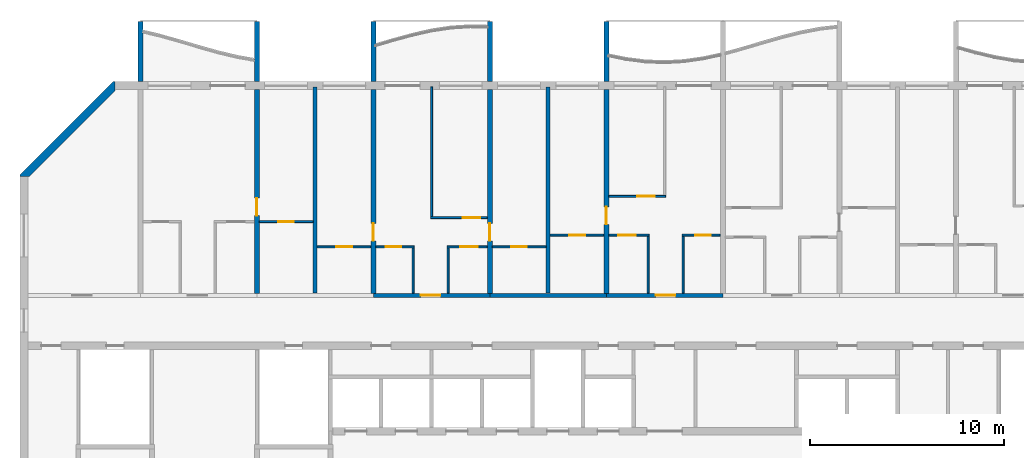
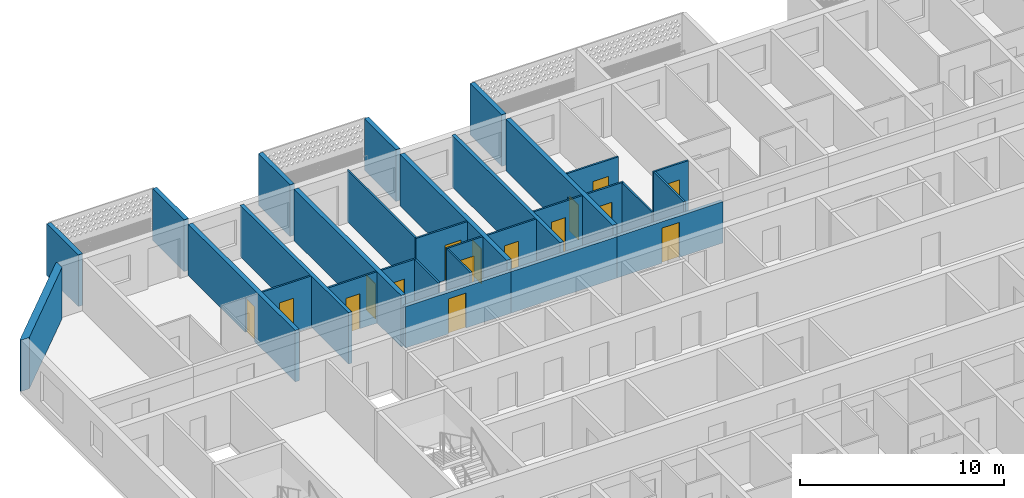
# One storey, part 8 of 26: 30 walls, 16 doors, 16 openings.
"""IFC4 building model written with IfcOpenShell, lengths in metres."""

from ifc_helpers import new_model, si_unit, direction, frame, frame_2d, origin, place, context, subcontext, project, spatial, polyline, rectangle, outline, extrude, source, transform, mapped, material, layer, layer_set, type_object, element, fill, save


model = new_model("IFC4")

# Units and contexts
model_context = context("Model", 3, precision=1e-05, world=origin(), true_north=direction((0.0, 1.0)))
body_context = subcontext(model_context, "Body", "Model", "MODEL_VIEW")
ifc_project = project(units=[si_unit("LENGTHUNIT", "METRE"), si_unit("AREAUNIT", "SQUARE_METRE"), si_unit("VOLUMEUNIT", "CUBIC_METRE"), si_unit("PLANEANGLEUNIT", "RADIAN"), si_unit("MASSUNIT", "GRAM", prefix="KILO")], contexts=[model_context])

# Site, building, storey
site_placement = place(None, origin())
site = spatial("IfcSite", under=ifc_project, at=site_placement, CompositionType="ELEMENT")
building_placement = place(site_placement, origin())
building = spatial("IfcBuilding", under=site, at=building_placement, Name="Poui Terraces", CompositionType="ELEMENT")
storey_placement = place(building_placement, frame((0.0, 0.0, 175.199951171875)))
storey = spatial("IfcBuildingStorey", under=building, at=storey_placement, Name="L48", CompositionType="ELEMENT", Elevation=175.199951171875)

# Wall, opening, door
ifc_material_1 = material(Name="Concrete 50 MPa", Category="concrete")
ifc_layer_1 = layer(ifc_material_1, 0.199951171875)
ifc_layer_set_1 = layer_set([ifc_layer_1], Name="Concrete 50 MPa")
wall_type_1 = type_object("IfcWallType", Name="CORRIDOR WALL 200 50MPa", PredefinedType="SHEAR", material=ifc_layer_set_1)
wall_1_placement = place(storey_placement, frame((36.0, 30.39990234375, 0.0), z_axis=(0.0, 0.0, 1.0), x_axis=(1.0, 0.0, 0.0)))
wall_1 = element("IfcWall", 1, at=wall_1_placement, inside=storey, type_object=wall_type_1, Name="CORRIDOR WALL LINE E BAY 4", PredefinedType="SHEAR", context=body_context, shape_type="SweptSolid", body=[
    extrude(rectangle(XDim=6.0, YDim=0.199951171875, at=frame_2d((3.0, 0.0))), origin(), (0.0, 0.0, 1.0), 2.47998046875),
])
opening_1_placement = place(wall_1_placement, frame((2.449951171875, 0.0, 0.0)))
opening_1 = element("IfcOpeningElement", 2, at=opening_1_placement, cuts=wall_1, Name="Opening FD30S", PredefinedType="OPENING", context=body_context, shape_type="SweptSolid", body=[
    extrude(rectangle(XDim=1.0, YDim=2.10009765625, at=frame_2d((0.5, 1.050048828125))), frame((0.0, 0.10986328125, 0.0), z_axis=(0.0, -1.0, 0.0), x_axis=(1.0, 0.0, 0.0)), (0.0, 0.0, 1.0), 0.219970703125),
])
ifc_material_2 = material(Name="Steel fire door", Category="steel")
door_type_1 = type_object("IfcDoorType", Name="FLAT ENTRANCE DOOR 1000 X 2100", OperationType="NOTDEFINED", PredefinedType="DOOR", material=ifc_material_2)
door_1_placement = place(opening_1_placement, origin())
door_1 = element("IfcDoor", 3, at=door_1_placement, inside=storey, type_object=door_type_1, Name="FLAT ENTRANCE DOOR 035", OperationType="SINGLE_SWING_LEFT", OverallHeight=2.10009765625, OverallWidth=1.0, PredefinedType="DOOR", context=body_context, shape_type="SweptSolid", body=[
    extrude(rectangle(XDim=1.0, YDim=2.10009765625, at=frame_2d((0.5, 1.050048828125))), frame((0.0, 0.02490234375, 0.0), z_axis=(0.0, -1.0, 0.0), x_axis=(1.0, 0.0, 0.0)), (0.0, 0.0, 1.0), 0.050048828125),
])
fill(opening_1, door_1)

# Wall
wall_2_placement = place(storey_placement, frame((42.0, 30.39990234375, 0.0), z_axis=(0.0, 0.0, 1.0), x_axis=(1.0, 0.0, 0.0)))
element("IfcWall", 4, at=wall_2_placement, inside=storey, type_object=wall_type_1, Name="CORRIDOR WALL LINE E BAY 5", PredefinedType="SHEAR", context=body_context, shape_type="SweptSolid", body=[
    extrude(rectangle(XDim=6.0, YDim=0.199951171875, at=frame_2d((3.0, 0.0))), origin(), (0.0, 0.0, 1.0), 2.47998046875),
])

# Wall, opening, door
wall_3_placement = place(storey_placement, frame((48.0, 30.39990234375, 0.0), z_axis=(0.0, 0.0, 1.0), x_axis=(1.0, 0.0, 0.0)))
wall_3 = element("IfcWall", 5, at=wall_3_placement, inside=storey, type_object=wall_type_1, Name="CORRIDOR WALL LINE E BAY 6", PredefinedType="SHEAR", context=body_context, shape_type="SweptSolid", body=[
    extrude(rectangle(XDim=6.0, YDim=0.199951171875, at=frame_2d((3.0, 0.0))), origin(), (0.0, 0.0, 1.0), 2.47998046875),
])
opening_2_placement = place(wall_3_placement, frame((2.550048828125, 0.0, 0.0)))
opening_2 = element("IfcOpeningElement", 6, at=opening_2_placement, cuts=wall_3, Name="Opening FD30S", PredefinedType="OPENING", context=body_context, shape_type="SweptSolid", body=[
    extrude(rectangle(XDim=1.0, YDim=2.10009765625, at=frame_2d((0.5, 1.050048828125))), frame((0.0, 0.10986328125, 0.0), z_axis=(0.0, -1.0, 0.0), x_axis=(1.0, 0.0, 0.0)), (0.0, 0.0, 1.0), 0.219970703125),
])
door_2_placement = place(opening_2_placement, origin())
door_2 = element("IfcDoor", 7, at=door_2_placement, inside=storey, type_object=door_type_1, Name="FLAT ENTRANCE DOOR 043", OperationType="SINGLE_SWING_RIGHT", OverallHeight=2.10009765625, OverallWidth=1.0, PredefinedType="DOOR", context=body_context, shape_type="SweptSolid", body=[
    extrude(rectangle(XDim=1.0, YDim=2.10009765625, at=frame_2d((0.5, 1.050048828125))), frame((0.0, 0.02490234375, 0.0), z_axis=(0.0, -1.0, 0.0), x_axis=(1.0, 0.0, 0.0)), (0.0, 0.0, 1.0), 0.050048828125),
])
fill(opening_2, door_2)

ifc_layer_2 = layer(ifc_material_1, 0.25)
ifc_layer_set_2 = layer_set([ifc_layer_2], Name="Concrete 50 MPa")
wall_type_2 = type_object("IfcWallType", Name="CROSS WALL 250 50MPa", PredefinedType="SHEAR", material=ifc_layer_set_2)
wall_4_placement = place(storey_placement, frame((30.0, 30.5, 0.0), z_axis=(0.0, 0.0, 1.0), x_axis=(0.0, 1.0, 0.0)))
wall_4 = element("IfcWall", 8, at=wall_4_placement, inside=storey, type_object=wall_type_2, Name="CROSS WALL LINE 6 NORTH", PredefinedType="SHEAR", context=body_context, shape_type="SweptSolid", body=[
    extrude(rectangle(XDim=10.5, YDim=0.25, at=frame_2d((5.25, 0.0))), origin(), (0.0, 0.0, 1.0), 3.080078125),
])
opening_3_placement = place(wall_4_placement, frame((4.0, 0.0, 0.0)))
opening_3 = element("IfcOpeningElement", 9, at=opening_3_placement, cuts=wall_4, Name="Opening D90", PredefinedType="OPENING", context=body_context, shape_type="SweptSolid", body=[
    extrude(rectangle(XDim=0.89990234375, YDim=2.10009765625, at=frame_2d((0.449951171875, 1.050048828125))), frame((0.0, 0.135009765625, 0.0), z_axis=(0.0, -1.0, 0.0), x_axis=(1.0, 0.0, 0.0)), (0.0, 0.0, 1.0), 0.27001953125),
])
ifc_material_3 = material(Name="Solid core timber door", Category="wood")
door_type_2 = type_object("IfcDoorType", Name="INTERNAL DOOR 900 X 2100", OperationType="NOTDEFINED", PredefinedType="DOOR", material=ifc_material_3)
door_3_placement = place(opening_3_placement, frame((0.89990234375, 0.0, 0.0), z_axis=(0.0, 0.0, 1.0), x_axis=(-1.0, 0.0, 0.0)))
door_3 = element("IfcDoor", 10, at=door_3_placement, inside=storey, type_object=door_type_2, Name="INTERNAL DOOR 030", OperationType="SINGLE_SWING_RIGHT", OverallHeight=2.10009765625, OverallWidth=0.89990234375, PredefinedType="DOOR", context=body_context, shape_type="SweptSolid", body=[
    extrude(rectangle(XDim=0.89990234375, YDim=2.10009765625, at=frame_2d((0.449951171875, 1.050048828125))), frame((0.0, 0.02490234375, 0.0), z_axis=(0.0, -1.0, 0.0), x_axis=(1.0, 0.0, 0.0)), (0.0, 0.0, 1.0), 0.050048828125),
])
fill(opening_3, door_3)

wall_5_placement = place(storey_placement, frame((36.0, 30.5, 0.0), z_axis=(0.0, 0.0, 1.0), x_axis=(0.0, 1.0, 0.0)))
wall_5 = element("IfcWall", 11, at=wall_5_placement, inside=storey, type_object=wall_type_2, Name="CROSS WALL LINE 7 NORTH", PredefinedType="SHEAR", context=body_context, shape_type="SweptSolid", body=[
    extrude(rectangle(XDim=10.5, YDim=0.25, at=frame_2d((5.25, 0.0))), origin(), (0.0, 0.0, 1.0), 3.080078125),
])
opening_4_placement = place(wall_5_placement, frame((2.699951171875, 0.0, 0.0)))
opening_4 = element("IfcOpeningElement", 12, at=opening_4_placement, cuts=wall_5, Name="Opening D90", PredefinedType="OPENING", context=body_context, shape_type="SweptSolid", body=[
    extrude(rectangle(XDim=0.89990234375, YDim=2.10009765625, at=frame_2d((0.449951171875, 1.050048828125))), frame((0.0, 0.135009765625, 0.0), z_axis=(0.0, -1.0, 0.0), x_axis=(1.0, 0.0, 0.0)), (0.0, 0.0, 1.0), 0.27001953125),
])
door_4_placement = place(opening_4_placement, origin())
door_4 = element("IfcDoor", 13, at=door_4_placement, inside=storey, type_object=door_type_2, Name="INTERNAL DOOR 033", OperationType="SINGLE_SWING_LEFT", OverallHeight=2.10009765625, OverallWidth=0.89990234375, PredefinedType="DOOR", context=body_context, shape_type="SweptSolid", body=[
    extrude(rectangle(XDim=0.89990234375, YDim=2.10009765625, at=frame_2d((0.449951171875, 1.050048828125))), frame((0.0, 0.02490234375, 0.0), z_axis=(0.0, -1.0, 0.0), x_axis=(1.0, 0.0, 0.0)), (0.0, 0.0, 1.0), 0.050048828125),
])
fill(opening_4, door_4)

wall_6_placement = place(storey_placement, frame((42.0, 30.5, 0.0), z_axis=(0.0, 0.0, 1.0), x_axis=(0.0, 1.0, 0.0)))
wall_6 = element("IfcWall", 14, at=wall_6_placement, inside=storey, type_object=wall_type_2, Name="CROSS WALL LINE 8 NORTH", PredefinedType="SHEAR", context=body_context, shape_type="SweptSolid", body=[
    extrude(rectangle(XDim=10.5, YDim=0.25, at=frame_2d((5.25, 0.0))), origin(), (0.0, 0.0, 1.0), 3.080078125),
])
opening_5_placement = place(wall_6_placement, frame((2.699951171875, 0.0, 0.0)))
opening_5 = element("IfcOpeningElement", 15, at=opening_5_placement, cuts=wall_6, Name="Opening D90", PredefinedType="OPENING", context=body_context, shape_type="SweptSolid", body=[
    extrude(rectangle(XDim=0.89990234375, YDim=2.10009765625, at=frame_2d((0.449951171875, 1.050048828125))), frame((0.0, 0.135009765625, 0.0), z_axis=(0.0, -1.0, 0.0), x_axis=(1.0, 0.0, 0.0)), (0.0, 0.0, 1.0), 0.27001953125),
])
door_5_placement = place(opening_5_placement, frame((0.89990234375, 0.0, 0.0), z_axis=(0.0, 0.0, 1.0), x_axis=(-1.0, 0.0, 0.0)))
door_5 = element("IfcDoor", 16, at=door_5_placement, inside=storey, type_object=door_type_2, Name="INTERNAL DOOR 038", OperationType="SINGLE_SWING_RIGHT", OverallHeight=2.10009765625, OverallWidth=0.89990234375, PredefinedType="DOOR", context=body_context, shape_type="SweptSolid", body=[
    extrude(rectangle(XDim=0.89990234375, YDim=2.10009765625, at=frame_2d((0.449951171875, 1.050048828125))), frame((0.0, 0.02490234375, 0.0), z_axis=(0.0, -1.0, 0.0), x_axis=(1.0, 0.0, 0.0)), (0.0, 0.0, 1.0), 0.050048828125),
])
fill(opening_5, door_5)

wall_7_placement = place(storey_placement, frame((48.0, 30.5, 0.0), z_axis=(0.0, 0.0, 1.0), x_axis=(0.0, 1.0, 0.0)))
wall_7 = element("IfcWall", 17, at=wall_7_placement, inside=storey, type_object=wall_type_2, Name="CROSS WALL LINE 9 NORTH", PredefinedType="SHEAR", context=body_context, shape_type="SweptSolid", body=[
    extrude(rectangle(XDim=10.5, YDim=0.25, at=frame_2d((5.25, 0.0))), origin(), (0.0, 0.0, 1.0), 3.080078125),
])
opening_6_placement = place(wall_7_placement, frame((3.550048828125, 0.0, 0.0)))
opening_6 = element("IfcOpeningElement", 18, at=opening_6_placement, cuts=wall_7, Name="Opening D90", PredefinedType="OPENING", context=body_context, shape_type="SweptSolid", body=[
    extrude(rectangle(XDim=0.89990234375, YDim=2.10009765625, at=frame_2d((0.449951171875, 1.050048828125))), frame((0.0, 0.135009765625, 0.0), z_axis=(0.0, -1.0, 0.0), x_axis=(1.0, 0.0, 0.0)), (0.0, 0.0, 1.0), 0.27001953125),
])
door_6_placement = place(opening_6_placement, origin())
door_6 = element("IfcDoor", 19, at=door_6_placement, inside=storey, type_object=door_type_2, Name="INTERNAL DOOR 040", OperationType="SINGLE_SWING_LEFT", OverallHeight=2.10009765625, OverallWidth=0.89990234375, PredefinedType="DOOR", context=body_context, shape_type="SweptSolid", body=[
    extrude(rectangle(XDim=0.89990234375, YDim=2.10009765625, at=frame_2d((0.449951171875, 1.050048828125))), frame((0.0, 0.02490234375, 0.0), z_axis=(0.0, -1.0, 0.0), x_axis=(1.0, 0.0, 0.0)), (0.0, 0.0, 1.0), 0.050048828125),
])
fill(opening_6, door_6)

ifc_material_4 = material(Name="Plasterboard partition")
ifc_layer_3 = layer(ifc_material_4, 0.10009765625)
ifc_layer_set_3 = layer_set([ifc_layer_3], Name="Plasterboard partition")
wall_type_3 = type_object("IfcWallType", Name="FLAT PARTITION 100", PredefinedType="PARTITIONING", material=ifc_layer_set_3)
wall_8_placement = place(storey_placement, frame((33.10009765625, 32.89990234375, 0.0), z_axis=(0.0, 0.0, 1.0), x_axis=(1.0, 0.0, 0.0)))
wall_8 = element("IfcWall", 20, at=wall_8_placement, inside=storey, type_object=wall_type_3, Name="FLAT PARTITION 100", PredefinedType="PARTITIONING", context=body_context, shape_type="SweptSolid", body=[
    extrude(rectangle(XDim=2.764892578125, YDim=0.10009765625, at=frame_2d((1.38232421875, 0.0))), origin(), (0.0, 0.0, 1.0), 3.080078125),
])
opening_7_placement = place(wall_8_placement, frame((1.0, 0.0, 0.0)))
opening_7 = element("IfcOpeningElement", 21, at=opening_7_placement, cuts=wall_8, Name="Opening D80", PredefinedType="OPENING", context=body_context, shape_type="SweptSolid", body=[
    extrude(rectangle(XDim=0.800048828125, YDim=2.10009765625, at=frame_2d((0.39990234375, 1.050048828125))), frame((0.0, 0.06005859375, 0.0), z_axis=(0.0, -1.0, 0.0), x_axis=(1.0, 0.0, 0.0)), (0.0, 0.0, 1.0), 0.1201171875),
])
door_type_3 = type_object("IfcDoorType", Name="BATHROOM, LAUNDRY AND STORE DOOR 800 X 2100", OperationType="NOTDEFINED", PredefinedType="DOOR", material=ifc_material_3)
door_7_placement = place(opening_7_placement, frame((0.800048828125, 0.0, 0.0), z_axis=(0.0, 0.0, 1.0), x_axis=(-1.0, 0.0, 0.0)))
door_7 = element("IfcDoor", 22, at=door_7_placement, inside=storey, type_object=door_type_3, Name="BATHROOM, LAUNDRY AND STORE DOOR 031", OperationType="SINGLE_SWING_RIGHT", OverallHeight=2.10009765625, OverallWidth=0.800048828125, PredefinedType="DOOR", context=body_context, shape_type="SweptSolid", body=[
    extrude(rectangle(XDim=0.800048828125, YDim=2.10009765625, at=frame_2d((0.39990234375, 1.050048828125))), frame((0.0, 0.02490234375, 0.0), z_axis=(0.0, -1.0, 0.0), x_axis=(1.0, 0.0, 0.0)), (0.0, 0.0, 1.0), 0.050048828125),
])
fill(opening_7, door_7)

wall_9_placement = place(storey_placement, frame((36.135009765625, 32.89990234375, 0.0), z_axis=(0.0, 0.0, 1.0), x_axis=(1.0, 0.0, 0.0)))
wall_9 = element("IfcWall", 23, at=wall_9_placement, inside=storey, type_object=wall_type_3, Name="FLAT PARTITION 100", PredefinedType="PARTITIONING", context=body_context, shape_type="SweptSolid", body=[
    extrude(rectangle(XDim=1.965087890625, YDim=0.10009765625, at=frame_2d((0.982421875, 0.0))), origin(), (0.0, 0.0, 1.0), 3.080078125),
])
opening_8_placement = place(wall_9_placement, frame((0.489990234375, 0.0, 0.0)))
opening_8 = element("IfcOpeningElement", 24, at=opening_8_placement, cuts=wall_9, Name="Opening D80", PredefinedType="OPENING", context=body_context, shape_type="SweptSolid", body=[
    extrude(rectangle(XDim=0.800048828125, YDim=2.10009765625, at=frame_2d((0.39990234375, 1.050048828125))), frame((0.0, 0.06005859375, 0.0), z_axis=(0.0, -1.0, 0.0), x_axis=(1.0, 0.0, 0.0)), (0.0, 0.0, 1.0), 0.1201171875),
])
door_8_placement = place(opening_8_placement, frame((0.800048828125, 0.0, 0.0), z_axis=(0.0, 0.0, 1.0), x_axis=(-1.0, 0.0, 0.0)))
door_8 = element("IfcDoor", 25, at=door_8_placement, inside=storey, type_object=door_type_3, Name="BATHROOM, LAUNDRY AND STORE DOOR 034", OperationType="SINGLE_SWING_RIGHT", OverallHeight=2.10009765625, OverallWidth=0.800048828125, PredefinedType="DOOR", context=body_context, shape_type="SweptSolid", body=[
    extrude(rectangle(XDim=0.800048828125, YDim=2.10009765625, at=frame_2d((0.39990234375, 1.050048828125))), frame((0.0, 0.02490234375, 0.0), z_axis=(0.0, -1.0, 0.0), x_axis=(1.0, 0.0, 0.0)), (0.0, 0.0, 1.0), 0.050048828125),
])
fill(opening_8, door_8)

wall_10_placement = place(storey_placement, frame((39.800048828125, 32.89990234375, 0.0), z_axis=(0.0, 0.0, 1.0), x_axis=(1.0, 0.0, 0.0)))
wall_10 = element("IfcWall", 26, at=wall_10_placement, inside=storey, type_object=wall_type_3, Name="FLAT PARTITION 100", PredefinedType="PARTITIONING", context=body_context, shape_type="SweptSolid", body=[
    extrude(rectangle(XDim=2.06494140625, YDim=0.10009765625, at=frame_2d((1.032470703125, 0.0))), origin(), (0.0, 0.0, 1.0), 3.080078125),
])
opening_9_placement = place(wall_10_placement, frame((0.675048828125, 0.0, 0.0)))
opening_9 = element("IfcOpeningElement", 27, at=opening_9_placement, cuts=wall_10, Name="Opening D90", PredefinedType="OPENING", context=body_context, shape_type="SweptSolid", body=[
    extrude(rectangle(XDim=0.89990234375, YDim=2.10009765625, at=frame_2d((0.449951171875, 1.050048828125))), frame((0.0, 0.06005859375, 0.0), z_axis=(0.0, -1.0, 0.0), x_axis=(1.0, 0.0, 0.0)), (0.0, 0.0, 1.0), 0.1201171875),
])
door_9_placement = place(opening_9_placement, frame((0.89990234375, 0.0, 0.0), z_axis=(0.0, 0.0, 1.0), x_axis=(-1.0, 0.0, 0.0)))
door_9 = element("IfcDoor", 28, at=door_9_placement, inside=storey, type_object=door_type_2, Name="INTERNAL DOOR 036", OperationType="SINGLE_SWING_LEFT", OverallHeight=2.10009765625, OverallWidth=0.89990234375, PredefinedType="DOOR", context=body_context, shape_type="SweptSolid", body=[
    extrude(rectangle(XDim=0.89990234375, YDim=2.10009765625, at=frame_2d((0.449951171875, 1.050048828125))), frame((0.0, 0.02490234375, 0.0), z_axis=(0.0, -1.0, 0.0), x_axis=(1.0, 0.0, 0.0)), (0.0, 0.0, 1.0), 0.050048828125),
])
fill(opening_9, door_9)

wall_11_placement = place(storey_placement, frame((42.135009765625, 32.89990234375, 0.0), z_axis=(0.0, 0.0, 1.0), x_axis=(1.0, 0.0, 0.0)))
wall_11 = element("IfcWall", 29, at=wall_11_placement, inside=storey, type_object=wall_type_3, Name="FLAT PARTITION 100", PredefinedType="PARTITIONING", context=body_context, shape_type="SweptSolid", body=[
    extrude(rectangle(XDim=2.764892578125, YDim=0.10009765625, at=frame_2d((1.38232421875, 0.0))), origin(), (0.0, 0.0, 1.0), 3.080078125),
])
opening_10_placement = place(wall_11_placement, frame((0.965087890625, 0.0, 0.0)))
opening_10 = element("IfcOpeningElement", 30, at=opening_10_placement, cuts=wall_11, Name="Opening D80", PredefinedType="OPENING", context=body_context, shape_type="SweptSolid", body=[
    extrude(rectangle(XDim=0.800048828125, YDim=2.10009765625, at=frame_2d((0.39990234375, 1.050048828125))), frame((0.0, 0.06005859375, 0.0), z_axis=(0.0, -1.0, 0.0), x_axis=(1.0, 0.0, 0.0)), (0.0, 0.0, 1.0), 0.1201171875),
])
door_10_placement = place(opening_10_placement, frame((0.800048828125, 0.0, 0.0), z_axis=(0.0, 0.0, 1.0), x_axis=(-1.0, 0.0, 0.0)))
door_10 = element("IfcDoor", 31, at=door_10_placement, inside=storey, type_object=door_type_3, Name="BATHROOM, LAUNDRY AND STORE DOOR 032", OperationType="SINGLE_SWING_RIGHT", OverallHeight=2.10009765625, OverallWidth=0.800048828125, PredefinedType="DOOR", context=body_context, shape_type="SweptSolid", body=[
    extrude(rectangle(XDim=0.800048828125, YDim=2.10009765625, at=frame_2d((0.39990234375, 1.050048828125))), frame((0.0, 0.02490234375, 0.0), z_axis=(0.0, -1.0, 0.0), x_axis=(1.0, 0.0, 0.0)), (0.0, 0.0, 1.0), 0.050048828125),
])
fill(opening_10, door_10)

wall_12_placement = place(storey_placement, frame((45.10009765625, 33.5, 0.0), z_axis=(0.0, 0.0, 1.0), x_axis=(1.0, 0.0, 0.0)))
wall_12 = element("IfcWall", 32, at=wall_12_placement, inside=storey, type_object=wall_type_3, Name="FLAT PARTITION 100", PredefinedType="PARTITIONING", context=body_context, shape_type="SweptSolid", body=[
    extrude(rectangle(XDim=2.764892578125, YDim=0.10009765625, at=frame_2d((1.38232421875, 0.0))), origin(), (0.0, 0.0, 1.0), 3.080078125),
])
opening_11_placement = place(wall_12_placement, frame((1.0, 0.0, 0.0)))
opening_11 = element("IfcOpeningElement", 33, at=opening_11_placement, cuts=wall_12, Name="Opening D80", PredefinedType="OPENING", context=body_context, shape_type="SweptSolid", body=[
    extrude(rectangle(XDim=0.800048828125, YDim=2.10009765625, at=frame_2d((0.39990234375, 1.050048828125))), frame((0.0, 0.06005859375, 0.0), z_axis=(0.0, -1.0, 0.0), x_axis=(1.0, 0.0, 0.0)), (0.0, 0.0, 1.0), 0.1201171875),
])
door_11_placement = place(opening_11_placement, frame((0.800048828125, 0.0, 0.0), z_axis=(0.0, 0.0, 1.0), x_axis=(-1.0, 0.0, 0.0)))
door_11 = element("IfcDoor", 34, at=door_11_placement, inside=storey, type_object=door_type_3, Name="BATHROOM, LAUNDRY AND STORE DOOR 039", OperationType="SINGLE_SWING_LEFT", OverallHeight=2.10009765625, OverallWidth=0.800048828125, PredefinedType="DOOR", context=body_context, shape_type="SweptSolid", body=[
    extrude(rectangle(XDim=0.800048828125, YDim=2.10009765625, at=frame_2d((0.39990234375, 1.050048828125))), frame((0.0, 0.02490234375, 0.0), z_axis=(0.0, -1.0, 0.0), x_axis=(1.0, 0.0, 0.0)), (0.0, 0.0, 1.0), 0.050048828125),
])
fill(opening_11, door_11)

wall_13_placement = place(storey_placement, frame((48.135009765625, 33.5, 0.0), z_axis=(0.0, 0.0, 1.0), x_axis=(1.0, 0.0, 0.0)))
wall_13 = element("IfcWall", 35, at=wall_13_placement, inside=storey, type_object=wall_type_3, Name="FLAT PARTITION 100", PredefinedType="PARTITIONING", context=body_context, shape_type="SweptSolid", body=[
    extrude(rectangle(XDim=2.06494140625, YDim=0.10009765625, at=frame_2d((1.032470703125, 0.0))), origin(), (0.0, 0.0, 1.0), 3.080078125),
])
opening_12_placement = place(wall_13_placement, frame((0.489990234375, 0.0, 0.0)))
opening_12 = element("IfcOpeningElement", 36, at=opening_12_placement, cuts=wall_13, Name="Opening D90", PredefinedType="OPENING", context=body_context, shape_type="SweptSolid", body=[
    extrude(rectangle(XDim=0.89990234375, YDim=2.10009765625, at=frame_2d((0.449951171875, 1.050048828125))), frame((0.0, 0.06005859375, 0.0), z_axis=(0.0, -1.0, 0.0), x_axis=(1.0, 0.0, 0.0)), (0.0, 0.0, 1.0), 0.1201171875),
])
door_12_placement = place(opening_12_placement, frame((0.89990234375, 0.0, 0.0), z_axis=(0.0, 0.0, 1.0), x_axis=(-1.0, 0.0, 0.0)))
door_12 = element("IfcDoor", 37, at=door_12_placement, inside=storey, type_object=door_type_2, Name="INTERNAL DOOR 041", OperationType="SINGLE_SWING_LEFT", OverallHeight=2.10009765625, OverallWidth=0.89990234375, PredefinedType="DOOR", context=body_context, shape_type="SweptSolid", body=[
    extrude(rectangle(XDim=0.89990234375, YDim=2.10009765625, at=frame_2d((0.449951171875, 1.050048828125))), frame((0.0, 0.02490234375, 0.0), z_axis=(0.0, -1.0, 0.0), x_axis=(1.0, 0.0, 0.0)), (0.0, 0.0, 1.0), 0.050048828125),
])
fill(opening_12, door_12)

wall_14_placement = place(storey_placement, frame((51.89990234375, 33.5, 0.0), z_axis=(0.0, 0.0, 1.0), x_axis=(1.0, 0.0, 0.0)))
wall_14 = element("IfcWall", 38, at=wall_14_placement, inside=storey, type_object=wall_type_3, Name="FLAT PARTITION 100", PredefinedType="PARTITIONING", context=body_context, shape_type="SweptSolid", body=[
    extrude(rectangle(XDim=1.965087890625, YDim=0.10009765625, at=frame_2d((0.982421875, 0.0))), origin(), (0.0, 0.0, 1.0), 3.080078125),
])
opening_13_placement = place(wall_14_placement, frame((0.675048828125, 0.0, 0.0)))
opening_13 = element("IfcOpeningElement", 39, at=opening_13_placement, cuts=wall_14, Name="Opening D80", PredefinedType="OPENING", context=body_context, shape_type="SweptSolid", body=[
    extrude(rectangle(XDim=0.800048828125, YDim=2.10009765625, at=frame_2d((0.39990234375, 1.050048828125))), frame((0.0, 0.06005859375, 0.0), z_axis=(0.0, -1.0, 0.0), x_axis=(1.0, 0.0, 0.0)), (0.0, 0.0, 1.0), 0.1201171875),
])
door_13_placement = place(opening_13_placement, frame((0.800048828125, 0.0, 0.0), z_axis=(0.0, 0.0, 1.0), x_axis=(-1.0, 0.0, 0.0)))
door_13 = element("IfcDoor", 40, at=door_13_placement, inside=storey, type_object=door_type_3, Name="BATHROOM, LAUNDRY AND STORE DOOR 044", OperationType="SINGLE_SWING_RIGHT", OverallHeight=2.10009765625, OverallWidth=0.800048828125, PredefinedType="DOOR", context=body_context, shape_type="SweptSolid", body=[
    extrude(rectangle(XDim=0.800048828125, YDim=2.10009765625, at=frame_2d((0.39990234375, 1.050048828125))), frame((0.0, 0.02490234375, 0.0), z_axis=(0.0, -1.0, 0.0), x_axis=(1.0, 0.0, 0.0)), (0.0, 0.0, 1.0), 0.050048828125),
])
fill(opening_13, door_13)

wall_15_placement = place(storey_placement, frame((30.135009765625, 34.199951171875, 0.0), z_axis=(0.0, 0.0, 1.0), x_axis=(1.0, 0.0, 0.0)))
wall_15 = element("IfcWall", 41, at=wall_15_placement, inside=storey, type_object=wall_type_3, Name="FLAT PARTITION 100", PredefinedType="PARTITIONING", context=body_context, shape_type="SweptSolid", body=[
    extrude(rectangle(XDim=2.764892578125, YDim=0.10009765625, at=frame_2d((1.38232421875, 0.0))), origin(), (0.0, 0.0, 1.0), 3.080078125),
])
opening_14_placement = place(wall_15_placement, frame((0.965087890625, 0.0, 0.0)))
opening_14 = element("IfcOpeningElement", 42, at=opening_14_placement, cuts=wall_15, Name="Opening D80", PredefinedType="OPENING", context=body_context, shape_type="SweptSolid", body=[
    extrude(rectangle(XDim=0.800048828125, YDim=2.10009765625, at=frame_2d((0.39990234375, 1.050048828125))), frame((0.0, 0.06005859375, 0.0), z_axis=(0.0, -1.0, 0.0), x_axis=(1.0, 0.0, 0.0)), (0.0, 0.0, 1.0), 0.1201171875),
])
door_14_placement = place(opening_14_placement, frame((0.800048828125, 0.0, 0.0), z_axis=(0.0, 0.0, 1.0), x_axis=(-1.0, 0.0, 0.0)))
door_14 = element("IfcDoor", 43, at=door_14_placement, inside=storey, type_object=door_type_3, Name="BATHROOM, LAUNDRY AND STORE DOOR 026", OperationType="SINGLE_SWING_LEFT", OverallHeight=2.10009765625, OverallWidth=0.800048828125, PredefinedType="DOOR", context=body_context, shape_type="SweptSolid", body=[
    extrude(rectangle(XDim=0.800048828125, YDim=2.10009765625, at=frame_2d((0.39990234375, 1.050048828125))), frame((0.0, 0.02490234375, 0.0), z_axis=(0.0, -1.0, 0.0), x_axis=(1.0, 0.0, 0.0)), (0.0, 0.0, 1.0), 0.050048828125),
])
fill(opening_14, door_14)

wall_16_placement = place(storey_placement, frame((38.949951171875, 34.39990234375, 0.0), z_axis=(0.0, 0.0, 1.0), x_axis=(1.0, 0.0, 0.0)))
wall_16 = element("IfcWall", 44, at=wall_16_placement, inside=storey, type_object=wall_type_3, Name="FLAT PARTITION 100", PredefinedType="PARTITIONING", context=body_context, shape_type="SweptSolid", body=[
    extrude(rectangle(XDim=2.9150390625, YDim=0.10009765625, at=frame_2d((1.45751953125, 0.0))), origin(), (0.0, 0.0, 1.0), 3.080078125),
])
opening_15_placement = place(wall_16_placement, frame((1.64990234375, 0.0, 0.0)))
opening_15 = element("IfcOpeningElement", 45, at=opening_15_placement, cuts=wall_16, Name="Opening D90", PredefinedType="OPENING", context=body_context, shape_type="SweptSolid", body=[
    extrude(rectangle(XDim=0.89990234375, YDim=2.10009765625, at=frame_2d((0.449951171875, 1.050048828125))), frame((0.0, 0.06005859375, 0.0), z_axis=(0.0, -1.0, 0.0), x_axis=(1.0, 0.0, 0.0)), (0.0, 0.0, 1.0), 0.1201171875),
])
door_15_placement = place(opening_15_placement, frame((0.89990234375, 0.0, 0.0), z_axis=(0.0, 0.0, 1.0), x_axis=(-1.0, 0.0, 0.0)))
door_15 = element("IfcDoor", 46, at=door_15_placement, inside=storey, type_object=door_type_2, Name="INTERNAL DOOR 037", OperationType="SINGLE_SWING_RIGHT", OverallHeight=2.10009765625, OverallWidth=0.89990234375, PredefinedType="DOOR", context=body_context, shape_type="SweptSolid", body=[
    extrude(rectangle(XDim=0.89990234375, YDim=2.10009765625, at=frame_2d((0.449951171875, 1.050048828125))), frame((0.0, 0.02490234375, 0.0), z_axis=(0.0, -1.0, 0.0), x_axis=(1.0, 0.0, 0.0)), (0.0, 0.0, 1.0), 0.050048828125),
])
fill(opening_15, door_15)

wall_17_placement = place(storey_placement, frame((48.135009765625, 35.5, 0.0), z_axis=(0.0, 0.0, 1.0), x_axis=(1.0, 0.0, 0.0)))
wall_17 = element("IfcWall", 47, at=wall_17_placement, inside=storey, type_object=wall_type_3, Name="FLAT PARTITION 100", PredefinedType="PARTITIONING", context=body_context, shape_type="SweptSolid", body=[
    extrude(rectangle(XDim=2.9150390625, YDim=0.10009765625, at=frame_2d((1.45751953125, 0.0))), origin(), (0.0, 0.0, 1.0), 3.080078125),
])
opening_16_placement = place(wall_17_placement, frame((1.465087890625, 0.0, 0.0)))
opening_16 = element("IfcOpeningElement", 48, at=opening_16_placement, cuts=wall_17, Name="Opening D90", PredefinedType="OPENING", context=body_context, shape_type="SweptSolid", body=[
    extrude(rectangle(XDim=0.89990234375, YDim=2.10009765625, at=frame_2d((0.449951171875, 1.050048828125))), frame((0.0, 0.06005859375, 0.0), z_axis=(0.0, -1.0, 0.0), x_axis=(1.0, 0.0, 0.0)), (0.0, 0.0, 1.0), 0.1201171875),
])
door_16_placement = place(opening_16_placement, frame((0.89990234375, 0.0, 0.0), z_axis=(0.0, 0.0, 1.0), x_axis=(-1.0, 0.0, 0.0)))
door_16 = element("IfcDoor", 49, at=door_16_placement, inside=storey, type_object=door_type_2, Name="INTERNAL DOOR 042", OperationType="SINGLE_SWING_RIGHT", OverallHeight=2.10009765625, OverallWidth=0.89990234375, PredefinedType="DOOR", context=body_context, shape_type="SweptSolid", body=[
    extrude(rectangle(XDim=0.89990234375, YDim=2.10009765625, at=frame_2d((0.449951171875, 1.050048828125))), frame((0.0, 0.02490234375, 0.0), z_axis=(0.0, -1.0, 0.0), x_axis=(1.0, 0.0, 0.0)), (0.0, 0.0, 1.0), 0.050048828125),
])
fill(opening_16, door_16)

# Walls
wall_18_placement = place(storey_placement, frame((38.050048828125, 30.510009765625, 0.0), z_axis=(0.0, 0.0, 1.0), x_axis=(0.0, 1.0, 0.0)))
element("IfcWall", 50, at=wall_18_placement, inside=storey, type_object=wall_type_3, Name="FLAT PARTITION 100", PredefinedType="PARTITIONING", context=body_context, shape_type="SweptSolid", body=[
    extrude(rectangle(XDim=2.340087890625, YDim=0.10009765625, at=frame_2d((1.169921875, 0.0))), origin(), (0.0, 0.0, 1.0), 3.080078125),
])
wall_19_placement = place(storey_placement, frame((39.0, 34.449951171875, 0.0), z_axis=(0.0, 0.0, 1.0), x_axis=(0.0, 1.0, 0.0)))
element("IfcWall", 51, at=wall_19_placement, inside=storey, type_object=wall_type_3, Name="FLAT PARTITION 100", PredefinedType="PARTITIONING", context=body_context, shape_type="SweptSolid", body=[
    extrude(rectangle(XDim=6.68994140625, YDim=0.10009765625, at=frame_2d((3.344970703125, 0.0))), origin(), (0.0, 0.0, 1.0), 3.080078125),
])
wall_20_placement = place(storey_placement, frame((39.85009765625, 30.510009765625, 0.0), z_axis=(0.0, 0.0, 1.0), x_axis=(0.0, 1.0, 0.0)))
element("IfcWall", 52, at=wall_20_placement, inside=storey, type_object=wall_type_3, Name="FLAT PARTITION 100", PredefinedType="PARTITIONING", context=body_context, shape_type="SweptSolid", body=[
    extrude(rectangle(XDim=2.340087890625, YDim=0.10009765625, at=frame_2d((1.169921875, 0.0))), origin(), (0.0, 0.0, 1.0), 3.080078125),
])
for number, where, z_axis, x_axis, name in (
    (53, (50.14990234375, 30.510009765625, 0.0), (0.0, 0.0, 1.0), (0.0, 1.0, 0.0), "FLAT PARTITION 100"),
    (54, (51.949951171875, 30.510009765625, 0.0), (0.0, 0.0, 1.0), (0.0, 1.0, 0.0), "FLAT PARTITION 100"),
):
    element("IfcWall", number, at=place(storey_placement, frame(where, z_axis=z_axis, x_axis=x_axis)), inside=storey, type_object=wall_type_3, Name=name, PredefinedType="PARTITIONING", context=body_context, shape_type="SweptSolid", body=[
        extrude(rectangle(XDim=2.93994140625, YDim=0.10009765625, at=frame_2d((1.469970703125, 0.0))), origin(), (0.0, 0.0, 1.0), 3.080078125),
    ])
ifc_material_5 = material(Name="Fire-rated masonry wall", Category="masonry")
ifc_layer_4 = layer(ifc_material_5, 0.199951171875)
ifc_layer_set_4 = layer_set([ifc_layer_4], Name="Fire-rated masonry wall")
wall_type_4 = type_object("IfcWallType", Name="FLAT PARTY WALL 200", PredefinedType="PARTITIONING", material=ifc_layer_set_4)
for number, where, z_axis, x_axis, name in (
    (55, (33.0, 30.510009765625, 0.0), (0.0, 0.0, 1.0), (0.0, 1.0, 0.0), "FLAT PARTY WALL 200"),
    (56, (45.0, 30.510009765625, 0.0), (0.0, 0.0, 1.0), (0.0, 1.0, 0.0), "FLAT PARTY WALL 200"),
):
    element("IfcWall", number, at=place(storey_placement, frame(where, z_axis=z_axis, x_axis=x_axis)), inside=storey, type_object=wall_type_4, Name=name, PredefinedType="PARTITIONING", context=body_context, shape_type="SweptSolid", body=[
        extrude(rectangle(XDim=10.6298828125, YDim=0.199951171875, at=frame_2d((5.31494140625, 0.0))), origin(), (0.0, 0.0, 1.0), 3.080078125),
    ])
ifc_material_6 = material(Name="Precast concrete 40 MPa", Category="concrete")
ifc_layer_5 = layer(ifc_material_6, 0.39990234375)
ifc_layer_set_5 = layer_set([ifc_layer_5], Name="Precast concrete 40 MPa")
wall_type_5 = type_object("IfcWallType", Name="TERRACOTTA CLAD CHAMFER WALL 400", PredefinedType="STANDARD", material=ifc_layer_set_5)
wall_21_placement = place(storey_placement, origin())
element("IfcWall", 57, at=wall_21_placement, inside=storey, type_object=wall_type_5, Name="CHAMFER WALL CH05", PredefinedType="STANDARD", context=body_context, shape_type="SweptSolid", body=[
    extrude(outline(polyline([(22.682861328125, 41.39990234375), (22.60009765625, 41.39990234375), (17.800048828125, 36.60009765625), (17.800048828125, 36.51708984375), (18.28271484375, 36.51708984375), (22.682861328125, 40.917236328125), (22.682861328125, 41.39990234375)])), origin(), (0.0, 0.0, 1.0), 3.080078125),
])
ifc_layer_6 = layer(ifc_material_6, 0.25)
ifc_layer_set_6 = layer_set([ifc_layer_6], Name="Precast concrete 40 MPa")
wall_type_6 = type_object("IfcWallType", Name="BALCONY FIN 250", PredefinedType="STANDARD", material=ifc_layer_set_6)
shared_shape = source(origin(), body_context, "Body", "SweptSolid", [
    extrude(outline(polyline([(0.0, 0.0), (0.25, 0.0), (0.25, 3.10009765625), (0.0, 3.10009765625), (0.0, 0.0)])), origin(), (0.0, 0.0, 1.0), 3.10009765625),
])
for number, where, name in (
    (58, (23.875, 41.39990234375, 0.0), "BALCONY FIN"),
    (59, (29.875, 41.39990234375, 0.0), "BALCONY FIN"),
    (60, (35.875, 41.39990234375, 0.0), "BALCONY FIN"),
    (61, (41.875, 41.39990234375, 0.0), "BALCONY FIN"),
    (62, (47.875, 41.39990234375, 0.0), "BALCONY FIN"),
):
    element("IfcWall", number, at=place(storey_placement, frame(where)), inside=storey, type_object=wall_type_6, Name=name, PredefinedType="STANDARD", context=body_context, shape_type="MappedRepresentation", body=[
        mapped(shared_shape, transform((0.0, 0.0, 0.0))),
    ])

save(model, "model.ifc")
